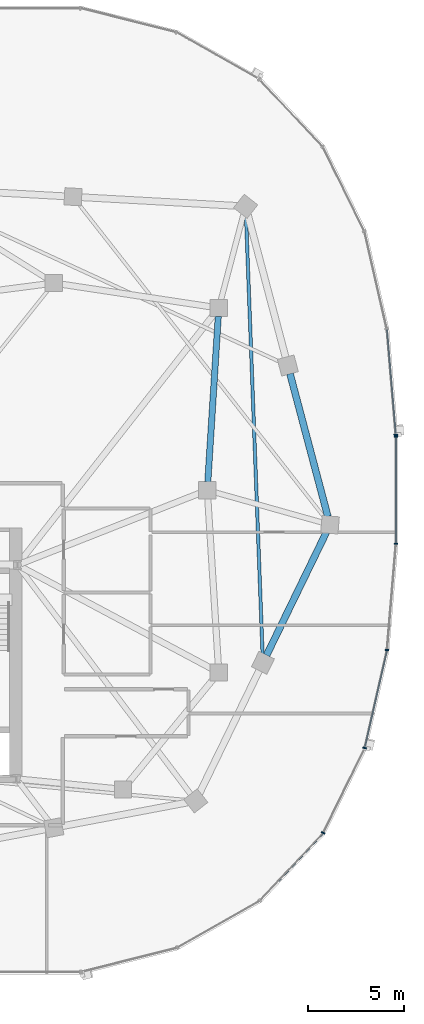
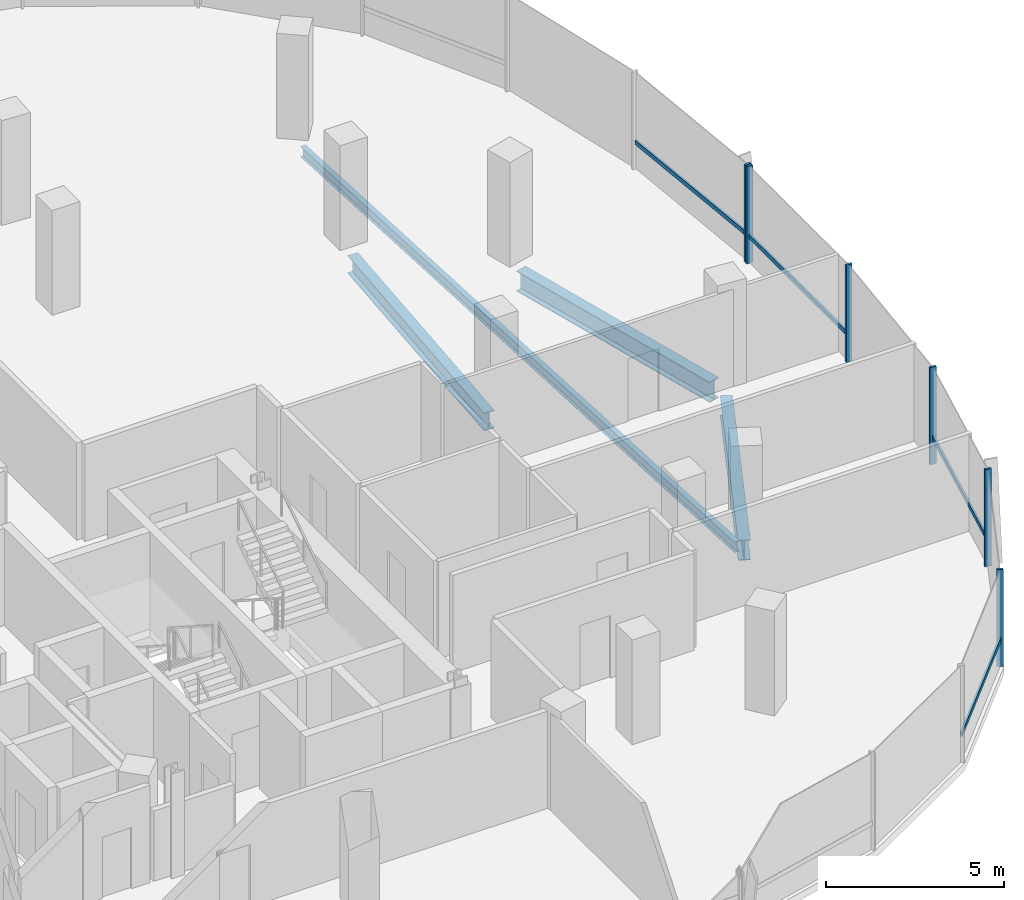
# One storey, part 10 of 25: 10 members, 4 beams, 2 elements without a shape of their own.
"""IFC4 building model written with IfcOpenShell, lengths in metres."""

from ifc_helpers import new_model, si_unit, direction, frame, origin, origin_2d, place, context, subcontext, project, spatial, rectangle, i_section, extrude, material, material_profile, profile_set, type_object, element, aggregate, save


model = new_model("IFC4")

# Units and contexts
model_context = context("Model", 3, precision=1e-05, world=origin(), true_north=direction((0.0, 1.0)))
body_context = subcontext(model_context, "Body", "Model", "MODEL_VIEW")
ifc_project = project(units=[si_unit("LENGTHUNIT", "METRE"), si_unit("AREAUNIT", "SQUARE_METRE"), si_unit("VOLUMEUNIT", "CUBIC_METRE"), si_unit("PLANEANGLEUNIT", "RADIAN"), si_unit("MASSUNIT", "GRAM", prefix="KILO"), si_unit("THERMODYNAMICTEMPERATUREUNIT", "KELVIN"), si_unit("POWERUNIT", "WATT")], contexts=[model_context])

# Site, building, storey
site_placement = place(None, origin())
site = spatial("IfcSite", under=ifc_project, at=site_placement, CompositionType="ELEMENT")
building_placement = place(site_placement, origin())
building = spatial("IfcBuilding", under=site, at=building_placement, Name="Cundina Bronze Exchange", CompositionType="ELEMENT")
storey_placement = place(building_placement, frame((0.0, 0.0, 195.39990234375)))
storey = spatial("IfcBuildingStorey", under=building, at=storey_placement, Name="L51", CompositionType="ELEMENT", Elevation=195.39990234375)

# Beams
ifc_material_1 = material(Name="Steel ASTM A992 Grade 50", Category="steel")
ifc_material_profile_1 = material_profile(ifc_material_1, i_section(OverallWidth=0.172119140625, OverallDepth=0.35791015625, WebThickness=0.0078125, FlangeThickness=0.01318359375, FilletRadius=0.010009765625, at=origin_2d()), Name="W14X38", Category="steel")
ifc_profile_set_1 = profile_set([ifc_material_profile_1], Name="Steel ASTM A992 Grade 50")
beam_type_1 = type_object("IfcBeamType", Name="BM-JST-W14", PredefinedType="JOIST", material=ifc_profile_set_1)
beam_1_placement = place(storey_placement, frame((44.08349609375, -8.562255859375, -0.43896484375), z_axis=(-0.037790216102, 0.999285694667, 0.0), x_axis=(-0.999285694667, -0.037790216102, 0.0)))
element("IfcBeam", 1, at=beam_1_placement, inside=storey, type_object=beam_type_1, Name="L51 Leg E Lobe Floor Joist 07-10", PredefinedType="JOIST", context=body_context, shape_type="SweptSolid", body=[
    extrude(i_section(OverallWidth=0.172119140625, OverallDepth=0.35791015625, WebThickness=0.0078125, FlangeThickness=0.01318359375, FilletRadius=0.010009765625, at=origin_2d()), origin(), (0.0, 0.0, 1.0), 22.94091796875),
])
ifc_material_profile_2 = material_profile(ifc_material_1, i_section(OverallWidth=0.324951171875, OverallDepth=0.615966796875, WebThickness=0.013916015625, FlangeThickness=0.021484375, FilletRadius=0.01611328125, at=origin_2d()), Name="W24X117", Category="steel")
ifc_profile_set_2 = profile_set([ifc_material_profile_2], Name="Steel ASTM A992 Grade 50")
beam_type_2 = type_object("IfcBeamType", Name="BM-RING-W24", PredefinedType="USERDEFINED", material=ifc_profile_set_2)
beam_2_placement = place(storey_placement, frame((41.2275390625, 0.43701171875, -0.56787109375), z_axis=(0.063046519736, 0.998010589297, 0.0), x_axis=(-0.998010589297, 0.063046519736, 0.0)))
element("IfcBeam", 2, at=beam_2_placement, inside=storey, type_object=beam_type_2, Name="L51 E Inner Structural Ring Girder 04", ObjectType="GIRDER", PredefinedType="USERDEFINED", context=body_context, shape_type="SweptSolid", body=[
    extrude(i_section(OverallWidth=0.324951171875, OverallDepth=0.615966796875, WebThickness=0.013916015625, FlangeThickness=0.021484375, FilletRadius=0.01611328125, at=origin_2d()), origin(), (0.0, 0.0, 1.0), 8.64306640625),
])
ifc_material_profile_3 = material_profile(ifc_material_1, i_section(OverallWidth=0.35498046875, OverallDepth=0.695068359375, WebThickness=0.015380859375, FlangeThickness=0.02490234375, FilletRadius=0.01806640625, at=origin_2d()), Name="W27X146", Category="steel")
ifc_profile_set_3 = profile_set([ifc_material_profile_3], Name="Steel ASTM A992 Grade 50")
beam_type_3 = type_object("IfcBeamType", Name="BM-RING-W27", PredefinedType="USERDEFINED", material=ifc_profile_set_3)
beam_3_placement = place(storey_placement, frame((44.29150390625, -8.606201171875, -0.607421875), z_axis=(0.437173087764, 0.89937739094, 0.0), x_axis=(-0.89937739094, 0.437173087764, 0.0)))
element("IfcBeam", 3, at=beam_3_placement, inside=storey, type_object=beam_type_3, Name="L51 E Perimeter Ring Girder 07", ObjectType="GIRDER", PredefinedType="USERDEFINED", context=body_context, shape_type="SweptSolid", body=[
    extrude(i_section(OverallWidth=0.35498046875, OverallDepth=0.695068359375, WebThickness=0.015380859375, FlangeThickness=0.02490234375, FilletRadius=0.01806640625, at=origin_2d()), origin(), (0.0, 0.0, 1.0), 7.1298828125),
])
beam_4_placement = place(storey_placement, frame((47.48779296875, -1.376708984375, -0.607421875), z_axis=(-0.256211934474, 0.966620631185, 0.0), x_axis=(-0.966620631185, -0.256211934474, 0.0)))
element("IfcBeam", 4, at=beam_4_placement, inside=storey, type_object=beam_type_3, Name="L51 E Perimeter Ring Girder 08", ObjectType="GIRDER", PredefinedType="USERDEFINED", context=body_context, shape_type="SweptSolid", body=[
    extrude(i_section(OverallWidth=0.35498046875, OverallDepth=0.695068359375, WebThickness=0.015380859375, FlangeThickness=0.02490234375, FilletRadius=0.01806640625, at=origin_2d()), origin(), (0.0, 0.0, 1.0), 7.710693359375),
])

# Curtain wall, member
ifc_material_2 = material(Name="Anodised Bronze Aluminium 6063-T6", Category="aluminium")
curtain_wall_type = type_object("IfcCurtainWallType", Name="CWS-UPP-OFF", PredefinedType="NOTDEFINED", material=ifc_material_2)
curtain_wall_1_placement = place(storey_placement, origin())
curtain_wall_1 = element("IfcCurtainWall", 5, at=curtain_wall_1_placement, inside=storey, type_object=curtain_wall_type, Name="L51 CW-05 Curtain Wall Run CWR-L51-E1", PredefinedType="NOTDEFINED")
ifc_material_profile_4 = material_profile(ifc_material_2, rectangle(XDim=0.070068359375, YDim=0.18994140625, at=origin_2d()), Name="AL70X190", Category="aluminium")
ifc_profile_set_4 = profile_set([ifc_material_profile_4], Name="Anodised Bronze Aluminium 6063-T6")
member_type_1 = type_object("IfcMemberType", Name="CWM-MUL-190", PredefinedType="MULLION", material=ifc_profile_set_4)
member_1_placement = place(storey_placement, frame((51.0302734375, 2.88330078125, 0.0), z_axis=(0.0, 0.0, 1.0), x_axis=(-0.083677843332, 0.99649285925, 0.0)))
member_1 = element("IfcMember", 6, at=member_1_placement, type_object=member_type_1, Name="CW-05 Mullion 1", PredefinedType="MULLION", context=body_context, shape_type="SweptSolid", body=[
    extrude(rectangle(XDim=0.070068359375, YDim=0.18994140625, at=origin_2d()), origin(), (0.0, 0.0, 1.0), 3.340087890625),
])

# Curtain wall, members
curtain_wall_2_placement = place(storey_placement, origin())
curtain_wall_2 = element("IfcCurtainWall", 7, at=curtain_wall_2_placement, inside=storey, type_object=curtain_wall_type, Name="L51 CW-05 Curtain Wall Run CWR-L51-E4", PredefinedType="NOTDEFINED")
member_2_placement = place(storey_placement, frame((47.245361328125, -17.866455078125, 0.0), z_axis=(0.0, 0.0, 1.0), x_axis=(0.440566004113, 0.897720221461, 0.0)))
member_2 = element("IfcMember", 8, at=member_2_placement, type_object=member_type_1, Name="CW-05 Mullion 4", PredefinedType="MULLION", context=body_context, shape_type="SweptSolid", body=[
    extrude(rectangle(XDim=0.070068359375, YDim=0.18994140625, at=origin_2d()), origin(), (0.0, 0.0, 1.0), 3.340087890625),
])
member_3_placement = place(storey_placement, frame((49.40771484375, -13.440673828125, 0.0), z_axis=(0.0, 0.0, 1.0), x_axis=(0.223250116011, 0.974761194191, 0.0)))
member_3 = element("IfcMember", 9, at=member_3_placement, type_object=member_type_1, Name="CW-05 Mullion 5", PredefinedType="MULLION", context=body_context, shape_type="SweptSolid", body=[
    extrude(rectangle(XDim=0.070068359375, YDim=0.18994140625, at=origin_2d()), origin(), (0.0, 0.0, 1.0), 3.340087890625),
])
member_4_placement = place(storey_placement, frame((50.572509765625, -8.33056640625, 0.0), z_axis=(0.0, 0.0, 1.0), x_axis=(0.083677843332, 0.99649285925, 0.0)))
member_4 = element("IfcMember", 10, at=member_4_placement, type_object=member_type_1, Name="CW-05 Mullion 6", PredefinedType="MULLION", context=body_context, shape_type="SweptSolid", body=[
    extrude(rectangle(XDim=0.070068359375, YDim=0.18994140625, at=origin_2d()), origin(), (0.0, 0.0, 1.0), 3.340087890625),
])
member_5_placement = place(storey_placement, frame((51.033935546875, -2.794921875, 0.0), z_axis=(0.0, 0.0, 1.0), x_axis=(0.0, 1.0, 0.0)))
member_5 = element("IfcMember", 11, at=member_5_placement, type_object=member_type_1, Name="CW-05 Mullion 7", PredefinedType="MULLION", context=body_context, shape_type="SweptSolid", body=[
    extrude(rectangle(XDim=0.070068359375, YDim=0.18994140625, at=origin_2d()), origin(), (0.0, 0.0, 1.0), 3.340087890625),
])
member_6_placement = place(storey_placement, frame((51.033935546875, 2.794921875, 0.0), z_axis=(0.0, 0.0, 1.0), x_axis=(0.0, 1.0, 0.0)))
member_6 = element("IfcMember", 12, at=member_6_placement, type_object=member_type_1, Name="CW-05 End Mullion", PredefinedType="MULLION", context=body_context, shape_type="SweptSolid", body=[
    extrude(rectangle(XDim=0.070068359375, YDim=0.18994140625, at=origin_2d()), origin(), (0.0, 0.0, 1.0), 3.340087890625),
])

# Member
ifc_material_profile_5 = material_profile(ifc_material_2, rectangle(XDim=0.06494140625, YDim=0.14990234375, at=origin_2d()), Name="AL65X150", Category="aluminium")
ifc_profile_set_5 = profile_set([ifc_material_profile_5], Name="Anodised Bronze Aluminium 6063-T6")
member_type_2 = type_object("IfcMemberType", Name="CWM-TRN-150", PredefinedType="USERDEFINED", material=ifc_profile_set_5)
member_7_placement = place(storey_placement, frame((51.027099609375, 2.921630859375, 0.920166015625), z_axis=(-0.083740331158, 0.996487610027, 0.0), x_axis=(-0.996487610027, -0.083740331158, 0.0)))
member_7 = element("IfcMember", 13, at=member_7_placement, type_object=member_type_2, Name="CW-05 Spandrel Transom 1", ObjectType="TRANSOM", PredefinedType="USERDEFINED", context=body_context, shape_type="SweptSolid", body=[
    extrude(rectangle(XDim=0.06494140625, YDim=0.14990234375, at=origin_2d()), origin(), (0.0, 0.0, 1.0), 5.466552734375),
])

aggregate(curtain_wall_1, [member_1, member_7])

member_8_placement = place(storey_placement, frame((43.97509765625, -21.364501953125, 0.920166015625), z_axis=(0.684336416554, 0.729166420633, 0.0), x_axis=(-0.729166420633, 0.684336416554, 0.0)))
member_8 = element("IfcMember", 14, at=member_8_placement, type_object=member_type_2, Name="CW-05 Spandrel Transom 3", ObjectType="TRANSOM", PredefinedType="USERDEFINED", context=body_context, shape_type="SweptSolid", body=[
    extrude(rectangle(XDim=0.06494140625, YDim=0.14990234375, at=origin_2d()), origin(), (0.0, 0.0, 1.0), 4.76513671875),
])

member_9_placement = place(storey_placement, frame((49.41650390625, -13.403076171875, 0.920166015625), z_axis=(0.22328343579, 0.974753562344, 0.0), x_axis=(-0.974753562344, 0.22328343579, 0.0)))
member_9 = element("IfcMember", 15, at=member_9_placement, type_object=member_type_2, Name="CW-05 Spandrel Transom 5", ObjectType="TRANSOM", PredefinedType="USERDEFINED", context=body_context, shape_type="SweptSolid", body=[
    extrude(rectangle(XDim=0.06494140625, YDim=0.14990234375, at=origin_2d()), origin(), (0.0, 0.0, 1.0), 5.159912109375),
])

member_10_placement = place(storey_placement, frame((51.033935546875, -2.756591796875, 0.920166015625), z_axis=(0.0, 1.0, 0.0), x_axis=(-1.0, 0.0, 0.0)))
member_10 = element("IfcMember", 16, at=member_10_placement, type_object=member_type_2, Name="CW-05 Spandrel Transom 7", ObjectType="TRANSOM", PredefinedType="USERDEFINED", context=body_context, shape_type="SweptSolid", body=[
    extrude(rectangle(XDim=0.06494140625, YDim=0.14990234375, at=origin_2d()), origin(), (0.0, 0.0, 1.0), 5.51318359375),
])

aggregate(curtain_wall_2, [member_8, member_2, member_3, member_9, member_4, member_5, member_6, member_10])

save(model, "model.ifc")
